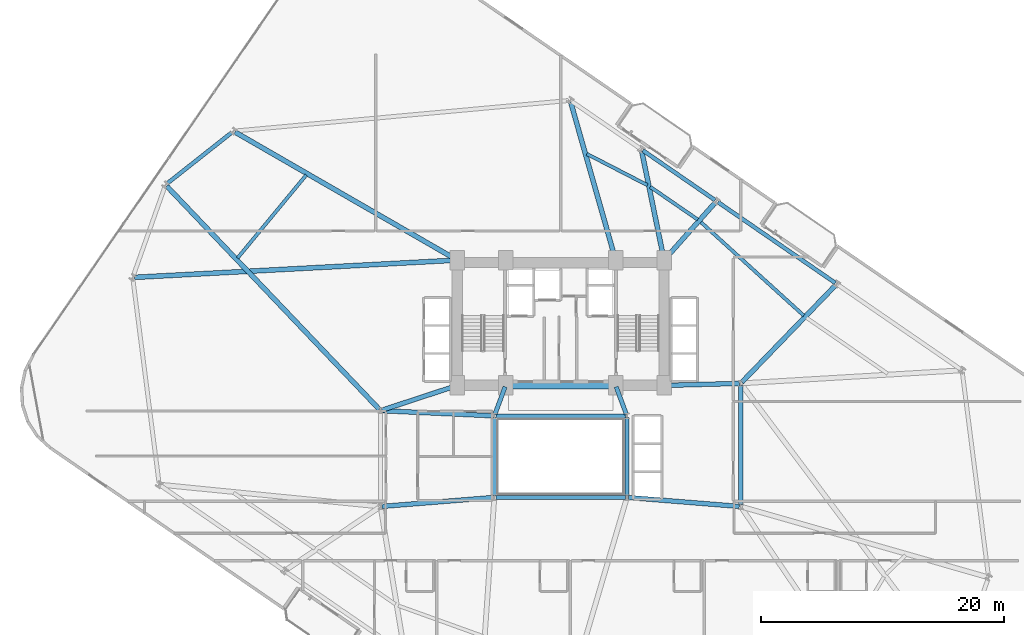
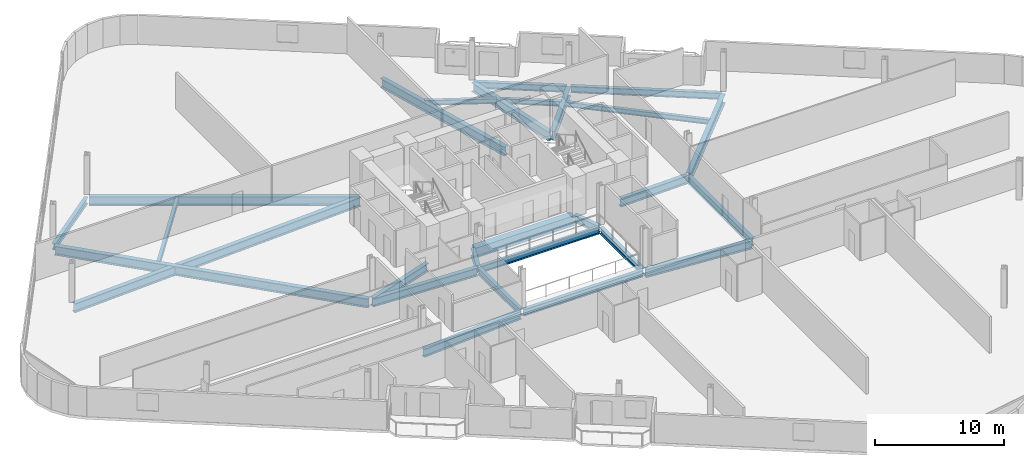
# One storey, part 7 of 26: 27 beams.
"""IFC4 building model written with IfcOpenShell, lengths in metres."""

from ifc_helpers import new_model, si_unit, direction, frame, origin, origin_2d, place, context, subcontext, project, spatial, rectangle, i_section, extrude, material, material_profile, profile_set, type_object, element, save


model = new_model("IFC4")

# Units and contexts
model_context = context("Model", 3, precision=1e-05, world=origin(), true_north=direction((0.0, 1.0)))
body_context = subcontext(model_context, "Body", "Model", "MODEL_VIEW")
ifc_project = project(units=[si_unit("LENGTHUNIT", "METRE"), si_unit("AREAUNIT", "SQUARE_METRE"), si_unit("VOLUMEUNIT", "CUBIC_METRE"), si_unit("PLANEANGLEUNIT", "RADIAN"), si_unit("MASSUNIT", "GRAM", prefix="KILO")], contexts=[model_context])

# Site, building, storey
site_placement = place(None, origin())
site = spatial("IfcSite", under=ifc_project, at=site_placement, CompositionType="ELEMENT")
building_placement = place(site_placement, origin())
building = spatial("IfcBuilding", under=site, at=building_placement, Name="Varnelok Gate Tower", CompositionType="ELEMENT")
storey_placement = place(building_placement, frame((0.0, 0.0, 45.5)))
storey = spatial("IfcBuildingStorey", under=building, at=storey_placement, Name="L10", CompositionType="ELEMENT", Elevation=45.5)

# Beams
ifc_material_1 = material(Name="Structural Steel ASTM A992 Grade 50", Category="steel")
ifc_material_profile_1 = material_profile(ifc_material_1, i_section(OverallWidth=0.280029296875, OverallDepth=0.462890625, WebThickness=0.0107421875, FlangeThickness=0.017333984375, FilletRadius=0.014892578125, at=origin_2d()), Name="W18X76")
ifc_profile_set_1 = profile_set([ifc_material_profile_1], Name="Structural Steel ASTM A992 Grade 50")
beam_type_1 = type_object("IfcBeamType", Name="BM-JST-W18X76", PredefinedType="JOIST", material=ifc_profile_set_1)
beam_1_placement = place(storey_placement, frame((59.18359375, 34.48681640625, -0.4814453125), z_axis=(-0.740168206595, 0.672421761952, 0.0), x_axis=(-0.672421761952, -0.740168206595, 0.0)))
element("IfcBeam", 1, at=beam_1_placement, inside=storey, type_object=beam_type_1, Name="L10 Sector Floor Joist 8", PredefinedType="JOIST", context=body_context, shape_type="SweptSolid", body=[
    extrude(i_section(OverallWidth=0.280029296875, OverallDepth=0.462890625, WebThickness=0.0107421875, FlangeThickness=0.017333984375, FilletRadius=0.014892578125, at=origin_2d()), origin(), (0.0, 0.0, 1.0), 11.474365234375),
])
beam_2_placement = place(storey_placement, frame((50.4716796875, 42.375732421875, -0.4814453125), z_axis=(-0.8235401836, 0.567257936036, 0.0), x_axis=(-0.567257936036, -0.8235401836, 0.0)))
element("IfcBeam", 2, at=beam_2_placement, inside=storey, type_object=beam_type_1, Name="L10 Sector Floor Joist 9", PredefinedType="JOIST", context=body_context, shape_type="SweptSolid", body=[
    extrude(i_section(OverallWidth=0.280029296875, OverallDepth=0.462890625, WebThickness=0.0107421875, FlangeThickness=0.017333984375, FilletRadius=0.014892578125, at=origin_2d()), origin(), (0.0, 0.0, 1.0), 4.7451171875),
])
beam_3_placement = place(storey_placement, frame((46.32421875, 45.211181640625, -0.4814453125), z_axis=(-0.888711678979, 0.458466521837, 0.0), x_axis=(-0.458466521837, -0.888711678979, 0.0)))
element("IfcBeam", 3, at=beam_3_placement, inside=storey, type_object=beam_type_1, Name="L10 Sector Floor Joist 10", PredefinedType="JOIST", context=body_context, shape_type="SweptSolid", body=[
    extrude(i_section(OverallWidth=0.280029296875, OverallDepth=0.462890625, WebThickness=0.0107421875, FlangeThickness=0.017333984375, FilletRadius=0.014892578125, at=origin_2d()), origin(), (0.0, 0.0, 1.0), 5.605712890625),
])
beam_4_placement = place(storey_placement, frame((18.29296875, 46.04248046875, -0.4814453125), z_axis=(-0.637405145463, -0.770528831736, 0.0), x_axis=(0.770528831736, -0.637405145463, 0.0)))
element("IfcBeam", 4, at=beam_4_placement, inside=storey, type_object=beam_type_1, Name="L10 Sector Floor Joist 11", PredefinedType="JOIST", context=body_context, shape_type="SweptSolid", body=[
    extrude(i_section(OverallWidth=0.280029296875, OverallDepth=0.462890625, WebThickness=0.0107421875, FlangeThickness=0.017333984375, FilletRadius=0.014892578125, at=origin_2d()), origin(), (0.0, 0.0, 1.0), 8.8525390625),
])
ifc_material_2 = material(Name="Concrete C60/75", Category="concrete")
ifc_material_profile_2 = material_profile(ifc_material_2, rectangle(XDim=0.60009765625, YDim=0.949951171875, at=origin_2d()), Name="RC950X600")
ifc_profile_set_2 = profile_set([ifc_material_profile_2], Name="Concrete C60/75")
beam_type_2 = type_object("IfcBeamType", Name="BM-LNT-RC950", PredefinedType="LINTEL", material=ifc_profile_set_2)
beam_5_placement = place(storey_placement, frame((34.800048828125, 28.75, -0.72509765625), z_axis=(1.0, 0.0, 0.0), x_axis=(0.0, 1.0, 0.0)))
element("IfcBeam", 5, at=beam_5_placement, inside=storey, type_object=beam_type_2, Name="L10 Core-Atrium Spine Beam 7", PredefinedType="LINTEL", context=body_context, shape_type="SweptSolid", body=[
    extrude(rectangle(XDim=0.60009765625, YDim=0.949951171875, at=origin_2d()), origin(), (0.0, 0.0, 1.0), 8.800048828125),
])
ifc_material_profile_3 = material_profile(ifc_material_1, i_section(OverallWidth=0.35498046875, OverallDepth=0.696044921875, WebThickness=0.015380859375, FlangeThickness=0.02490234375, FilletRadius=0.02001953125, at=origin_2d()), Name="W27X146")
ifc_profile_set_3 = profile_set([ifc_material_profile_3], Name="Structural Steel ASTM A992 Grade 50")
beam_type_3 = type_object("IfcBeamType", Name="BM-PRI-W27X146", PredefinedType="BEAM", material=ifc_profile_set_3)
for number, where, z_axis, x_axis, name in (
    (6, (33.791748046875, 26.362548828125, -0.597900390625), (0.348719329408, 0.937227202602, 0.0), (-0.937227202602, 0.348719329408, 0.0), "L10 Core-Atrium Spine Beam 12"),
    (7, (44.608154296875, 26.362548828125, -0.597900390625), (-0.348719329408, 0.937227202602, 0.0), (-0.937227202602, -0.348719329408, 0.0), "L10 Core-Atrium Spine Beam 13"),
):
    element("IfcBeam", number, at=place(storey_placement, frame(where, z_axis=z_axis, x_axis=x_axis)), inside=storey, type_object=beam_type_3, Name=name, PredefinedType="BEAM", context=body_context, shape_type="SweptSolid", body=[
        extrude(i_section(OverallWidth=0.35498046875, OverallDepth=0.696044921875, WebThickness=0.015380859375, FlangeThickness=0.02490234375, FilletRadius=0.02001953125, at=origin_2d()), origin(), (0.0, 0.0, 1.0), 2.42724609375),
    ])
beam_6_placement = place(storey_placement, frame((54.0, 18.919921875, -0.597900390625), z_axis=(0.0, 1.0, 0.0), x_axis=(-1.0, 0.0, 0.0)))
element("IfcBeam", 8, at=beam_6_placement, inside=storey, type_object=beam_type_3, Name="L10 Core-Atrium Spine Beam 20", PredefinedType="BEAM", context=body_context, shape_type="SweptSolid", body=[
    extrude(i_section(OverallWidth=0.35498046875, OverallDepth=0.696044921875, WebThickness=0.015380859375, FlangeThickness=0.02490234375, FilletRadius=0.02001953125, at=origin_2d()), origin(), (0.0, 0.0, 1.0), 9.880126953125),
])
ifc_material_profile_4 = material_profile(ifc_material_1, i_section(OverallWidth=0.381103515625, OverallDepth=0.77294921875, WebThickness=0.0166015625, FlangeThickness=0.027099609375, FilletRadius=0.02197265625, at=origin_2d()), Name="W30X173")
ifc_profile_set_4 = profile_set([ifc_material_profile_4], Name="Structural Steel ASTM A992 Grade 50")
beam_type_4 = type_object("IfcBeamType", Name="BM-PRI-W30X173", PredefinedType="BEAM", material=ifc_profile_set_4)
beam_7_placement = place(storey_placement, frame((24.51953125, 18.8095703125, -0.636474609375), z_axis=(0.996799206292, 0.07994587128, 0.0), x_axis=(-0.07994587128, 0.996799206292, 0.0)))
element("IfcBeam", 9, at=beam_7_placement, inside=storey, type_object=beam_type_4, Name="L10 Core-Atrium Spine Beam 14", PredefinedType="BEAM", context=body_context, shape_type="SweptSolid", body=[
    extrude(i_section(OverallWidth=0.381103515625, OverallDepth=0.77294921875, WebThickness=0.0166015625, FlangeThickness=0.027099609375, FilletRadius=0.02197265625, at=origin_2d()), origin(), (0.0, 0.0, 1.0), 9.14013671875),
])
beam_8_placement = place(storey_placement, frame((24.52001953125, 26.674560546875, -0.636474609375), z_axis=(0.99894427814, -0.045938319209, 0.0), x_axis=(0.045938319209, 0.99894427814, 0.0)))
element("IfcBeam", 10, at=beam_8_placement, inside=storey, type_object=beam_type_4, Name="L10 Core-Atrium Spine Beam 15", PredefinedType="BEAM", context=body_context, shape_type="SweptSolid", body=[
    extrude(i_section(OverallWidth=0.381103515625, OverallDepth=0.77294921875, WebThickness=0.0166015625, FlangeThickness=0.027099609375, FilletRadius=0.02197265625, at=origin_2d()), origin(), (0.0, 0.0, 1.0), 9.11962890625),
])
beam_9_placement = place(storey_placement, frame((24.513916015625, 26.717529296875, -0.636474609375), z_axis=(0.950041943788, 0.312122259768, 0.0), x_axis=(-0.312122259768, 0.950041943788, 0.0)))
element("IfcBeam", 11, at=beam_9_placement, inside=storey, type_object=beam_type_4, Name="L10 Core-Atrium Spine Beam 17", PredefinedType="BEAM", context=body_context, shape_type="SweptSolid", body=[
    extrude(i_section(OverallWidth=0.381103515625, OverallDepth=0.77294921875, WebThickness=0.0166015625, FlangeThickness=0.027099609375, FilletRadius=0.02197265625, at=origin_2d()), origin(), (0.0, 0.0, 1.0), 6.391357421875),
])
beam_10_placement = place(storey_placement, frame((44.76953125, 19.540283203125, -0.636474609375), z_axis=(0.996799206292, -0.07994587128, 0.0), x_axis=(0.07994587128, 0.996799206292, 0.0)))
element("IfcBeam", 12, at=beam_10_placement, inside=storey, type_object=beam_type_4, Name="L10 Core-Atrium Spine Beam 18", PredefinedType="BEAM", context=body_context, shape_type="SweptSolid", body=[
    extrude(i_section(OverallWidth=0.381103515625, OverallDepth=0.77294921875, WebThickness=0.0166015625, FlangeThickness=0.027099609375, FilletRadius=0.02197265625, at=origin_2d()), origin(), (0.0, 0.0, 1.0), 9.14013671875),
])
beam_11_placement = place(storey_placement, frame((47.820068359375, 28.753173828125, -0.636474609375), z_axis=(0.999635880609, 0.026983443053, 0.0), x_axis=(-0.026983443053, 0.999635880609, 0.0)))
element("IfcBeam", 13, at=beam_11_placement, inside=storey, type_object=beam_type_4, Name="L10 Core-Atrium Spine Beam 19", PredefinedType="BEAM", context=body_context, shape_type="SweptSolid", body=[
    extrude(i_section(OverallWidth=0.381103515625, OverallDepth=0.77294921875, WebThickness=0.0166015625, FlangeThickness=0.027099609375, FilletRadius=0.02197265625, at=origin_2d()), origin(), (0.0, 0.0, 1.0), 6.06201171875),
])
ifc_material_profile_5 = material_profile(ifc_material_1, i_section(OverallWidth=0.39892578125, OverallDepth=0.85498046875, WebThickness=0.018310546875, FlangeThickness=0.029296875, FilletRadius=0.02392578125, at=origin_2d()), Name="W33X201")
ifc_profile_set_5 = profile_set([ifc_material_profile_5], Name="Structural Steel ASTM A992 Grade 50")
beam_type_5 = type_object("IfcBeamType", Name="BM-PRI-W33X201", PredefinedType="BEAM", material=ifc_profile_set_5)
beam_12_placement = place(storey_placement, frame((54.104248046875, 29.02783203125, -0.677490234375), z_axis=(0.694813956558, 0.719189520066, 0.0), x_axis=(-0.719189520066, 0.694813956558, 0.0)))
element("IfcBeam", 14, at=beam_12_placement, inside=storey, type_object=beam_type_5, Name="L10 Radial Floor Girder 10", PredefinedType="BEAM", context=body_context, shape_type="SweptSolid", body=[
    extrude(i_section(OverallWidth=0.39892578125, OverallDepth=0.85498046875, WebThickness=0.018310546875, FlangeThickness=0.029296875, FilletRadius=0.02392578125, at=origin_2d()), origin(), (0.0, 0.0, 1.0), 11.057373046875),
])
beam_13_placement = place(storey_placement, frame((47.7998046875, 39.162109375, -0.677490234375), z_axis=(0.664520653518, 0.747269898395, 0.0), x_axis=(-0.747269898395, 0.664520653518, 0.0)))
element("IfcBeam", 15, at=beam_13_placement, inside=storey, type_object=beam_type_5, Name="L10 Radial Floor Girder 11", PredefinedType="BEAM", context=body_context, shape_type="SweptSolid", body=[
    extrude(i_section(OverallWidth=0.39892578125, OverallDepth=0.85498046875, WebThickness=0.018310546875, FlangeThickness=0.029296875, FilletRadius=0.02392578125, at=origin_2d()), origin(), (0.0, 0.0, 1.0), 6.18408203125),
])
beam_14_placement = place(storey_placement, frame((47.669921875, 39.197021484375, -0.677490234375), z_axis=(-0.201054404261, 0.979580076628, 0.0), x_axis=(-0.979580076628, -0.201054404261, 0.0)))
element("IfcBeam", 16, at=beam_14_placement, inside=storey, type_object=beam_type_5, Name="L10 Radial Floor Girder 12", PredefinedType="BEAM", context=body_context, shape_type="SweptSolid", body=[
    extrude(i_section(OverallWidth=0.39892578125, OverallDepth=0.85498046875, WebThickness=0.018310546875, FlangeThickness=0.029296875, FilletRadius=0.02392578125, at=origin_2d()), origin(), (0.0, 0.0, 1.0), 8.989501953125),
])
beam_15_placement = place(storey_placement, frame((43.678955078125, 39.1943359375, -0.677490234375), z_axis=(-0.273636323057, 0.961833230193, 0.0), x_axis=(-0.961833230193, -0.273636323057, 0.0)))
element("IfcBeam", 17, at=beam_15_placement, inside=storey, type_object=beam_type_5, Name="L10 Radial Floor Girder 13", PredefinedType="BEAM", context=body_context, shape_type="SweptSolid", body=[
    extrude(i_section(OverallWidth=0.39892578125, OverallDepth=0.85498046875, WebThickness=0.018310546875, FlangeThickness=0.029296875, FilletRadius=0.02392578125, at=origin_2d()), origin(), (0.0, 0.0, 1.0), 13.348388671875),
])
beam_16_placement = place(storey_placement, frame((30.570068359375, 39.125, -0.677490234375), z_axis=(-0.866373398512, 0.499396770465, 0.0), x_axis=(-0.499396770465, -0.866373398512, 0.0)))
element("IfcBeam", 18, at=beam_16_placement, inside=storey, type_object=beam_type_5, Name="L10 Radial Floor Girder 14", PredefinedType="BEAM", context=body_context, shape_type="SweptSolid", body=[
    extrude(i_section(OverallWidth=0.39892578125, OverallDepth=0.85498046875, WebThickness=0.018310546875, FlangeThickness=0.029296875, FilletRadius=0.02392578125, at=origin_2d()), origin(), (0.0, 0.0, 1.0), 20.920166015625),
])
beam_17_placement = place(storey_placement, frame((24.296630859375, 26.78857421875, -0.677490234375), z_axis=(-0.68957548794, 0.72421381265, 0.0), x_axis=(-0.72421381265, -0.68957548794, 0.0)))
element("IfcBeam", 19, at=beam_17_placement, inside=storey, type_object=beam_type_5, Name="L10 Radial Floor Girder 15", PredefinedType="BEAM", context=body_context, shape_type="SweptSolid", body=[
    extrude(i_section(OverallWidth=0.39892578125, OverallDepth=0.85498046875, WebThickness=0.018310546875, FlangeThickness=0.029296875, FilletRadius=0.02392578125, at=origin_2d()), origin(), (0.0, 0.0, 1.0), 25.324462890625),
])
beam_18_placement = place(storey_placement, frame((30.55029296875, 39.0419921875, -0.677490234375), z_axis=(-0.998572952572, -0.053404666383, 0.0), x_axis=(0.053404666383, -0.998572952572, 0.0)))
element("IfcBeam", 20, at=beam_18_placement, inside=storey, type_object=beam_type_5, Name="L10 Radial Floor Girder 16", PredefinedType="BEAM", context=body_context, shape_type="SweptSolid", body=[
    extrude(i_section(OverallWidth=0.39892578125, OverallDepth=0.85498046875, WebThickness=0.018310546875, FlangeThickness=0.029296875, FilletRadius=0.02392578125, at=origin_2d()), origin(), (0.0, 0.0, 1.0), 26.405029296875),
])
ifc_material_profile_6 = material_profile(ifc_material_1, i_section(OverallWidth=0.323974609375, OverallDepth=0.611083984375, WebThickness=0.0126953125, FlangeThickness=0.01904296875, FilletRadius=0.01806640625, at=origin_2d()), Name="W24X104")
ifc_profile_set_6 = profile_set([ifc_material_profile_6], Name="Structural Steel ASTM A992 Grade 50")
beam_type_6 = type_object("IfcBeamType", Name="BM-SPN-W24X104", PredefinedType="SPANDREL", material=ifc_profile_set_6)
for number, where, z_axis, x_axis, name in (
    (21, (33.8701171875, 19.550048828125, -0.555419921875), (1.0, 0.0, 0.0), (0.0, 1.0, 0.0), "L10 Core-Atrium Spine Beam 8"),
    (22, (33.8701171875, 26.25, -0.555419921875), (1.0, 0.0, 0.0), (0.0, 1.0, 0.0), "L10 Core-Atrium Spine Beam 9"),
):
    element("IfcBeam", number, at=place(storey_placement, frame(where, z_axis=z_axis, x_axis=x_axis)), inside=storey, type_object=beam_type_6, Name=name, PredefinedType="SPANDREL", context=body_context, shape_type="SweptSolid", body=[
        extrude(i_section(OverallWidth=0.323974609375, OverallDepth=0.611083984375, WebThickness=0.0126953125, FlangeThickness=0.01904296875, FilletRadius=0.01806640625, at=origin_2d()), origin(), (0.0, 0.0, 1.0), 10.659912109375),
    ])
for number, where, z_axis, x_axis, name in (
    (23, (33.75, 19.669921875, -0.555419921875), (0.0, 1.0, 0.0), (-1.0, 0.0, 0.0), "L10 Core-Atrium Spine Beam 10"),
    (24, (44.64990234375, 19.669921875, -0.555419921875), (0.0, 1.0, 0.0), (-1.0, 0.0, 0.0), "L10 Core-Atrium Spine Beam 11"),
):
    element("IfcBeam", number, at=place(storey_placement, frame(where, z_axis=z_axis, x_axis=x_axis)), inside=storey, type_object=beam_type_6, Name=name, PredefinedType="SPANDREL", context=body_context, shape_type="SweptSolid", body=[
        extrude(i_section(OverallWidth=0.323974609375, OverallDepth=0.611083984375, WebThickness=0.0126953125, FlangeThickness=0.01904296875, FilletRadius=0.01806640625, at=origin_2d()), origin(), (0.0, 0.0, 1.0), 6.4599609375),
    ])
beam_19_placement = place(storey_placement, frame((61.767822265625, 37.173095703125, -0.555419921875), z_axis=(-0.82353077968, 0.567271588324, 0.0), x_axis=(-0.567271588324, -0.82353077968, 0.0)))
element("IfcBeam", 25, at=beam_19_placement, inside=storey, type_object=beam_type_6, Name="L10 Perimeter Spandrel Beam 10", PredefinedType="SPANDREL", context=body_context, shape_type="SweptSolid", body=[
    extrude(i_section(OverallWidth=0.323974609375, OverallDepth=0.611083984375, WebThickness=0.0126953125, FlangeThickness=0.01904296875, FilletRadius=0.01806640625, at=origin_2d()), origin(), (0.0, 0.0, 1.0), 11.7001953125),
])
beam_20_placement = place(storey_placement, frame((51.885498046875, 43.98046875, -0.555419921875), z_axis=(-0.823550897395, 0.567242381527, 0.0), x_axis=(-0.567242381527, -0.823550897395, 0.0)))
element("IfcBeam", 26, at=beam_20_placement, inside=storey, type_object=beam_type_6, Name="L10 Perimeter Spandrel Beam 11", PredefinedType="SPANDREL", context=body_context, shape_type="SweptSolid", body=[
    extrude(i_section(OverallWidth=0.323974609375, OverallDepth=0.611083984375, WebThickness=0.0126953125, FlangeThickness=0.01904296875, FilletRadius=0.01806640625, at=origin_2d()), origin(), (0.0, 0.0, 1.0), 7.2001953125),
])
beam_21_placement = place(storey_placement, frame((12.197509765625, 49.554443359375, -0.555419921875), z_axis=(-0.784860761341, -0.619672159538, 0.0), x_axis=(0.619672159538, -0.784860761341, 0.0)))
element("IfcBeam", 27, at=beam_21_placement, inside=storey, type_object=beam_type_6, Name="L10 Perimeter Spandrel Beam 14", PredefinedType="SPANDREL", context=body_context, shape_type="SweptSolid", body=[
    extrude(i_section(OverallWidth=0.323974609375, OverallDepth=0.611083984375, WebThickness=0.0126953125, FlangeThickness=0.01904296875, FilletRadius=0.01806640625, at=origin_2d()), origin(), (0.0, 0.0, 1.0), 6.81640625),
])

save(model, "model.ifc")
